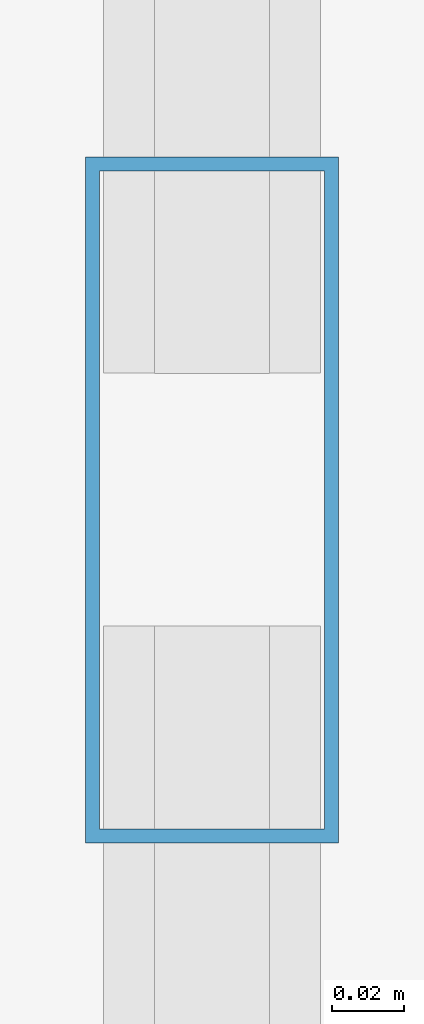
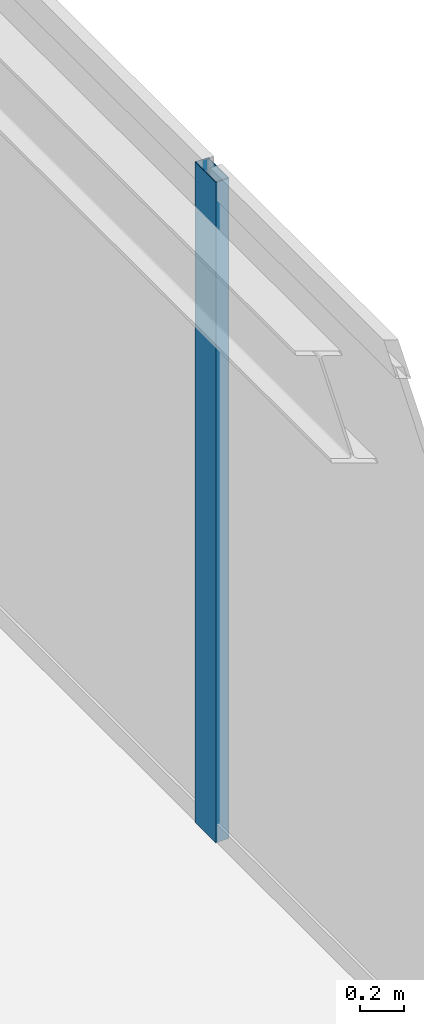
# One storey, part 20 of 32: 1 member, 1 element without a shape of its own.
"""IFC4 building model written with IfcOpenShell, lengths in metres."""

from ifc_helpers import new_model, si_unit, direction, frame, origin, origin_2d, place, context, subcontext, project, spatial, hollow_rectangle, extrude, source, transform, mapped, material, layer, layer_set, material_profile, profile_set, type_object, type_shapes, element, aggregate, save


model = new_model("IFC4")

# Units and contexts
model_context = context("Model", 3, precision=1e-05, world=origin(), true_north=direction((0.0, 1.0)))
body_context = subcontext(model_context, "Body", "Model", "MODEL_VIEW")
ifc_project = project(units=[si_unit("LENGTHUNIT", "METRE"), si_unit("AREAUNIT", "SQUARE_METRE"), si_unit("VOLUMEUNIT", "CUBIC_METRE"), si_unit("PLANEANGLEUNIT", "RADIAN"), si_unit("MASSUNIT", "GRAM", prefix="KILO")], contexts=[model_context])

# Site, building, storey
site_placement = place(None, origin())
site = spatial("IfcSite", under=ifc_project, at=site_placement, CompositionType="ELEMENT")
building_placement = place(site_placement, origin())
building = spatial("IfcBuilding", under=site, at=building_placement, Name="Varnel Quay Broadcast Tower", CompositionType="ELEMENT")
storey_placement = place(building_placement, frame((0.0, 0.0, 54.89990234375)))
storey = spatial("IfcBuildingStorey", under=building, at=storey_placement, Name="L12", CompositionType="ELEMENT", Elevation=54.89990234375)

# Curtain wall, member
ifc_material = material(Name="Anodised Bronze Aluminium 6063-T6", Category="aluminium")
ifc_layer = layer(ifc_material, 0.18994140625, Name="Anodised Bronze Aluminium 6063-T6")
ifc_layer_set = layer_set([ifc_layer], Name="Anodised Bronze Aluminium 6063-T6")
curtain_wall_type = type_object("IfcCurtainWallType", Name="CW_LowerTower", PredefinedType="NOTDEFINED", material=ifc_layer_set)
curtain_wall_placement = place(storey_placement, origin())
curtain_wall = element("IfcCurtainWall", 1, at=curtain_wall_placement, inside=storey, type_object=curtain_wall_type, Name="L12 East Unitised Curtain Wall", PredefinedType="NOTDEFINED")
ifc_material_profile = material_profile(ifc_material, hollow_rectangle(XDim=0.070068359375, YDim=0.18994140625, WallThickness=0.00390625, at=origin_2d()), Name="ALU70X190X4")
ifc_profile_set = profile_set([ifc_material_profile], Name="Anodised Bronze Aluminium 6063-T6")
member_type = type_object("IfcMemberType", Name="Mull_CWS-02", PredefinedType="MULLION", material=ifc_profile_set)
shared_shape = source(origin(), body_context, "Body", "SweptSolid", [
    extrude(hollow_rectangle(XDim=0.070068359375, YDim=0.18994140625, WallThickness=0.00390625, at=origin_2d()), origin(), (0.0, 0.0, 1.0), 3.650146484375),
])
type_shapes(member_type, [shared_shape])
member_placement = place(storey_placement, frame((65.85009765625, 30.39990234375, 0.0), z_axis=(0.0, 0.0, 1.0), x_axis=(-1.0, 0.0, 0.0)))
member = element("IfcMember", 2, at=member_placement, type_object=member_type, Name="CWS-02 mullion 3", PredefinedType="MULLION", context=body_context, shape_type="MappedRepresentation", body=[
    mapped(shared_shape, transform((0.0, 0.0, 0.0), x_axis=(1.0, 0.0, 0.0), y_axis=(0.0, 1.0, 0.0), z_axis=(0.0, 0.0, 1.0), scale=1.0)),
])
aggregate(curtain_wall, [member])

save(model, "model.ifc")
